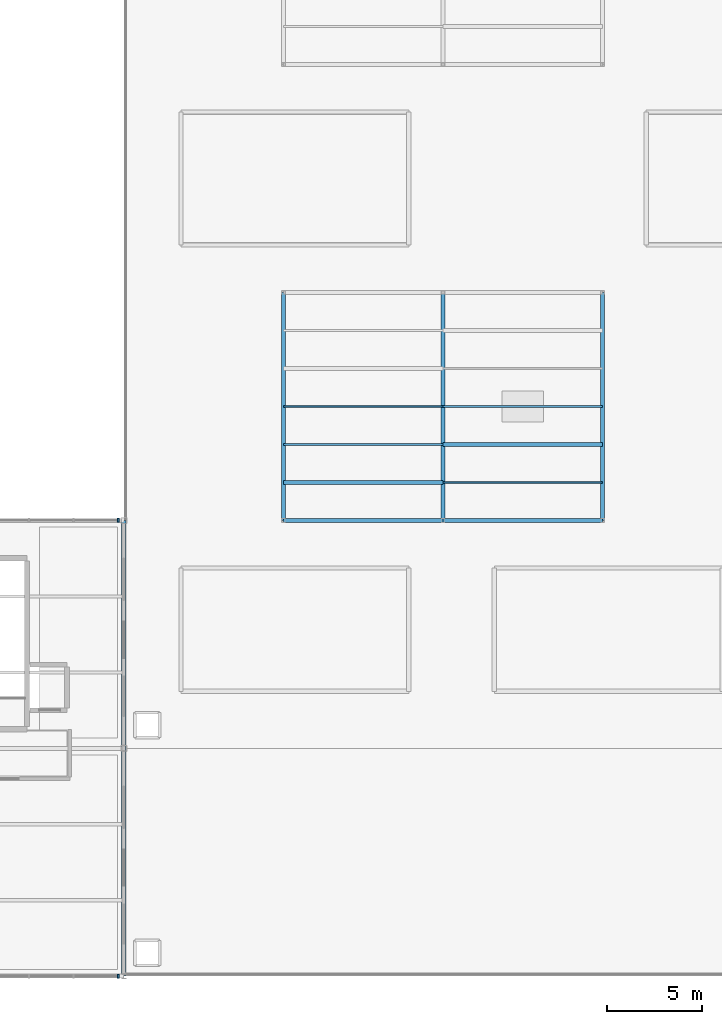
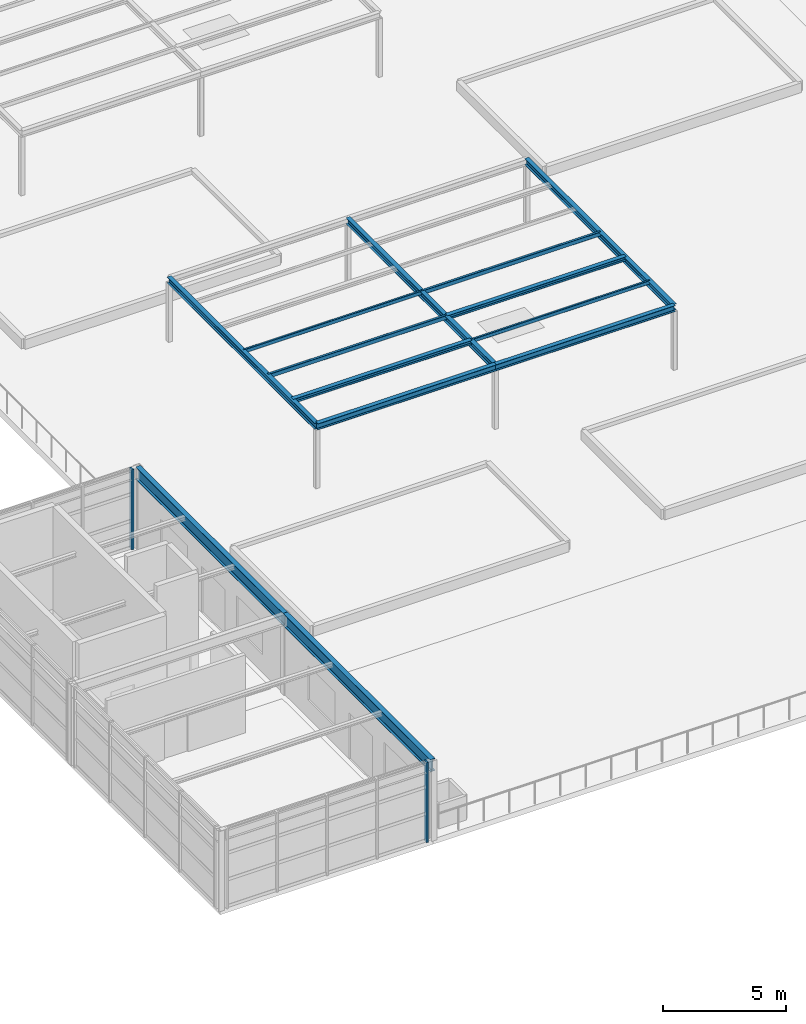
# One storey, part 17 of 49: 8 members, 7 beams, 2 elements without a shape of their own.
"""IFC4 building model written with IfcOpenShell, lengths in metres."""

from ifc_helpers import new_model, si_unit, direction, frame, origin, origin_2d, place, context, subcontext, project, spatial, rectangle, hollow_rectangle, i_section, extrude, material, layer, layer_set, material_profile, profile_set, type_object, element, aggregate, save


model = new_model("IFC4")

# Units and contexts
model_context = context("Model", 3, precision=1e-05, world=origin(), true_north=direction((0.0, 1.0)))
body_context = subcontext(model_context, "Body", "Model", "MODEL_VIEW")
ifc_project = project(units=[si_unit("LENGTHUNIT", "METRE"), si_unit("AREAUNIT", "SQUARE_METRE"), si_unit("VOLUMEUNIT", "CUBIC_METRE"), si_unit("PLANEANGLEUNIT", "RADIAN"), si_unit("MASSUNIT", "GRAM", prefix="KILO")], contexts=[model_context])

# Site, building, storey
site_placement = place(None, origin())
site = spatial("IfcSite", under=ifc_project, at=site_placement, CompositionType="ELEMENT")
building_placement = place(site_placement, origin())
building = spatial("IfcBuilding", under=site, at=building_placement, Name="Sitalva Quay Ferry Terminal", CompositionType="ELEMENT")
storey_placement = place(building_placement, frame((0.0, 0.0, 10.199951171875)))
storey = spatial("IfcBuildingStorey", under=building, at=storey_placement, Name="L03", CompositionType="ELEMENT", Elevation=10.199951171875)

# Beams
ifc_material_1 = material(Name="Structural Steel S355JR", Category="steel")
ifc_material_profile_1 = material_profile(ifc_material_1, i_section(OverallWidth=0.202880859375, OverallDepth=0.302978515625, WebThickness=0.007568359375, FlangeThickness=0.01318359375, FilletRadius=0.011962890625, at=origin_2d()), Name="W310x60")
ifc_profile_set_1 = profile_set([ifc_material_profile_1], Name="Structural Steel S355JR")
beam_type_1 = type_object("IfcBeamType", Name="Beam_W310x60", PredefinedType="BEAM", material=ifc_profile_set_1)
beam_1_placement = place(storey_placement, frame((92.39990234375, 30.0, 3.048583984375), z_axis=(1.0, 0.0, 0.0), x_axis=(0.0, 1.0, 0.0)))
element("IfcBeam", 1, at=beam_1_placement, inside=storey, type_object=beam_type_1, Name="L03 Primary X girder 1297", PredefinedType="BEAM", context=body_context, shape_type="SweptSolid", body=[
    extrude(i_section(OverallWidth=0.202880859375, OverallDepth=0.302978515625, WebThickness=0.007568359375, FlangeThickness=0.01318359375, FilletRadius=0.011962890625, at=origin_2d()), origin(), (0.0, 0.0, 1.0), 8.400146484375),
])
beam_2_placement = place(storey_placement, frame((100.800048828125, 30.0, 3.048583984375), z_axis=(1.0, 0.0, 0.0), x_axis=(0.0, 1.0, 0.0)))
element("IfcBeam", 2, at=beam_2_placement, inside=storey, type_object=beam_type_1, Name="L03 Primary X girder 1298", PredefinedType="BEAM", context=body_context, shape_type="SweptSolid", body=[
    extrude(i_section(OverallWidth=0.202880859375, OverallDepth=0.302978515625, WebThickness=0.007568359375, FlangeThickness=0.01318359375, FilletRadius=0.011962890625, at=origin_2d()), origin(), (0.0, 0.0, 1.0), 8.39990234375),
])
for number, where, z_axis, x_axis, name in (
    (3, (92.39990234375, 30.0, 3.048583984375), (0.0, 1.0, 0.0), (-1.0, 0.0, 0.0), "L03 Primary Y girder 1301"),
    (4, (100.800048828125, 30.0, 3.048583984375), (0.0, 1.0, 0.0), (-1.0, 0.0, 0.0), "L03 Primary Y girder 1302"),
    (5, (109.199951171875, 30.0, 3.048583984375), (0.0, 1.0, 0.0), (-1.0, 0.0, 0.0), "L03 Primary Y girder 1303"),
):
    element("IfcBeam", number, at=place(storey_placement, frame(where, z_axis=z_axis, x_axis=x_axis)), inside=storey, type_object=beam_type_1, Name=name, PredefinedType="BEAM", context=body_context, shape_type="SweptSolid", body=[
        extrude(i_section(OverallWidth=0.202880859375, OverallDepth=0.302978515625, WebThickness=0.007568359375, FlangeThickness=0.01318359375, FilletRadius=0.011962890625, at=origin_2d()), origin(), (0.0, 0.0, 1.0), 12.0),
    ])
ifc_material_2 = material(Name="Structural Steel S355JR", Category="steel")
ifc_material_profile_2 = material_profile(ifc_material_2, i_section(OverallWidth=0.22802734375, OverallDepth=0.60791015625, WebThickness=0.01123046875, FlangeThickness=0.017333984375, FilletRadius=0.01611328125, at=origin_2d()), Name="W610x113")
ifc_profile_set_2 = profile_set([ifc_material_profile_2], Name="Structural Steel S355JR")
beam_type_2 = type_object("IfcBeamType", Name="Girder_W610x113", PredefinedType="USERDEFINED", material=ifc_profile_set_2)
for number, where, z_axis, x_axis, name in (
    (6, (84.0, 6.0, 3.676025390625), (0.0, 1.0, 0.0), (-1.0, 0.0, 0.0), "L03 Primary Y girder 1190"),
    (7, (84.0, 18.0, 3.676025390625), (0.0, 1.0, 0.0), (-1.0, 0.0, 0.0), "L03 Primary Y girder 1191"),
):
    element("IfcBeam", number, at=place(storey_placement, frame(where, z_axis=z_axis, x_axis=x_axis)), inside=storey, type_object=beam_type_2, Name=name, ObjectType="GIRDER", PredefinedType="USERDEFINED", context=body_context, shape_type="SweptSolid", body=[
        extrude(i_section(OverallWidth=0.22802734375, OverallDepth=0.60791015625, WebThickness=0.01123046875, FlangeThickness=0.017333984375, FilletRadius=0.01611328125, at=origin_2d()), origin(), (0.0, 0.0, 1.0), 12.0),
    ])

# Curtain wall, member
ifc_material_3 = material(Name="Anodised Aluminium & Low-E Glazing", Category="aluminium")
ifc_layer = layer(ifc_material_3, 0.159912109375)
ifc_layer_set = layer_set([ifc_layer], Name="Anodised Aluminium & Low-E Glazing")
curtain_wall_type = type_object("IfcCurtainWallType", Name="CW_Concourse_Unitised", PredefinedType="USERDEFINED", material=ifc_layer_set)
curtain_wall_1_placement = place(storey_placement, origin())
curtain_wall_1 = element("IfcCurtainWall", 8, at=curtain_wall_1_placement, inside=storey, type_object=curtain_wall_type, Name="L03 promenade pavilion south glazing (CW-L03-086)", ObjectType="CURTAIN_WALL", PredefinedType="USERDEFINED")
ifc_material_4 = material(Name="Anodised Aluminium 6063-T6", Category="aluminium")
ifc_material_profile_3 = material_profile(ifc_material_4, rectangle(XDim=0.0849609375, YDim=0.2099609375, at=origin_2d()), Name="ALU85x210")
ifc_profile_set_3 = profile_set([ifc_material_profile_3], Name="Anodised Aluminium 6063-T6")
member_type_1 = type_object("IfcMemberType", Name="Mullion_Alu_85x210", PredefinedType="MULLION", material=ifc_profile_set_3)
member_1_placement = place(storey_placement, frame((83.699951171875, 6.0, 0.0), z_axis=(0.0, 0.0, 1.0), x_axis=(1.0, 0.0, 0.0)))
member_1 = element("IfcMember", 9, at=member_1_placement, type_object=member_type_1, Name="CW-L03-086-M4", PredefinedType="MULLION", context=body_context, shape_type="SweptSolid", body=[
    extrude(rectangle(XDim=0.0849609375, YDim=0.2099609375, at=origin_2d()), origin(), (0.0, 0.0, 1.0), 3.97998046875),
])
aggregate(curtain_wall_1, [member_1])

curtain_wall_2_placement = place(storey_placement, origin())
curtain_wall_2 = element("IfcCurtainWall", 10, at=curtain_wall_2_placement, inside=storey, type_object=curtain_wall_type, Name="L03 promenade pavilion north glazing (CW-L03-087)", ObjectType="CURTAIN_WALL", PredefinedType="USERDEFINED")
member_2_placement = place(storey_placement, frame((83.699951171875, 30.0, 0.0), z_axis=(0.0, 0.0, 1.0), x_axis=(1.0, 0.0, 0.0)))
member_2 = element("IfcMember", 11, at=member_2_placement, type_object=member_type_1, Name="CW-L03-087-M4", PredefinedType="MULLION", context=body_context, shape_type="SweptSolid", body=[
    extrude(rectangle(XDim=0.0849609375, YDim=0.2099609375, at=origin_2d()), origin(), (0.0, 0.0, 1.0), 3.97998046875),
])
aggregate(curtain_wall_2, [member_2])

# Members
ifc_material_5 = material(Name="Structural Steel S355JR", Category="steel")
ifc_material_profile_4 = material_profile(ifc_material_5, hollow_rectangle(XDim=0.10009765625, YDim=0.179931640625, WallThickness=0.008056640625, InnerFilletRadius=0.008056640625, OuterFilletRadius=0.01611328125, at=origin_2d()), Name="RHS180x100x8")
ifc_profile_set_4 = profile_set([ifc_material_profile_4], Name="Structural Steel S355JR")
member_type_2 = type_object("IfcMemberType", Name="Purlin_RHS180x100", PredefinedType="PURLIN", material=ifc_profile_set_4)
member_3_placement = place(storey_placement, frame((92.39990234375, 36.0, 3.110107421875), z_axis=(1.0, 0.0, 0.0), x_axis=(0.0, 1.0, 0.0)))
element("IfcMember", 12, at=member_3_placement, inside=storey, type_object=member_type_2, Name="Roof garden shade pergola trellis 003", PredefinedType="PURLIN", context=body_context, shape_type="SweptSolid", body=[
    extrude(hollow_rectangle(XDim=0.10009765625, YDim=0.179931640625, WallThickness=0.008056640625, InnerFilletRadius=0.008056640625, OuterFilletRadius=0.01611328125, at=origin_2d()), origin(), (0.0, 0.0, 1.0), 8.400146484375),
])
member_4_placement = place(storey_placement, frame((100.800048828125, 32.0, 3.110107421875), z_axis=(1.0, 0.0, 0.0), x_axis=(0.0, 1.0, 0.0)))
element("IfcMember", 13, at=member_4_placement, inside=storey, type_object=member_type_2, Name="Roof garden shade pergola trellis 006", PredefinedType="PURLIN", context=body_context, shape_type="SweptSolid", body=[
    extrude(hollow_rectangle(XDim=0.10009765625, YDim=0.179931640625, WallThickness=0.008056640625, InnerFilletRadius=0.008056640625, OuterFilletRadius=0.01611328125, at=origin_2d()), origin(), (0.0, 0.0, 1.0), 8.39990234375),
])
ifc_material_6 = material(Name="Structural Steel S355JR", Category="steel")
ifc_material_profile_5 = material_profile(ifc_material_6, hollow_rectangle(XDim=0.1201171875, YDim=0.199951171875, WallThickness=0.008056640625, InnerFilletRadius=0.008056640625, OuterFilletRadius=0.01611328125, at=origin_2d()), Name="RHS200x120x8")
ifc_profile_set_5 = profile_set([ifc_material_profile_5], Name="Structural Steel S355JR")
member_type_3 = type_object("IfcMemberType", Name="Purlin_RHS200x120", PredefinedType="PURLIN", material=ifc_profile_set_5)
member_5_placement = place(storey_placement, frame((92.39990234375, 34.0, 3.10009765625), z_axis=(1.0, 0.0, 0.0), x_axis=(0.0, 1.0, 0.0)))
element("IfcMember", 14, at=member_5_placement, inside=storey, type_object=member_type_3, Name="Roof garden shade pergola trellis 002", PredefinedType="PURLIN", context=body_context, shape_type="SweptSolid", body=[
    extrude(hollow_rectangle(XDim=0.1201171875, YDim=0.199951171875, WallThickness=0.008056640625, InnerFilletRadius=0.008056640625, OuterFilletRadius=0.01611328125, at=origin_2d()), origin(), (0.0, 0.0, 1.0), 8.400146484375),
])
member_6_placement = place(storey_placement, frame((100.800048828125, 36.0, 3.10009765625), z_axis=(1.0, 0.0, 0.0), x_axis=(0.0, 1.0, 0.0)))
element("IfcMember", 15, at=member_6_placement, inside=storey, type_object=member_type_3, Name="Roof garden shade pergola trellis 008", PredefinedType="PURLIN", context=body_context, shape_type="SweptSolid", body=[
    extrude(hollow_rectangle(XDim=0.1201171875, YDim=0.199951171875, WallThickness=0.008056640625, InnerFilletRadius=0.008056640625, OuterFilletRadius=0.01611328125, at=origin_2d()), origin(), (0.0, 0.0, 1.0), 8.39990234375),
])
ifc_material_7 = material(Name="Structural Steel S355JR", Category="steel")
ifc_material_profile_6 = material_profile(ifc_material_7, i_section(OverallWidth=0.202880859375, OverallDepth=0.202880859375, WebThickness=0.007080078125, FlangeThickness=0.010986328125, FilletRadius=0.010009765625, at=origin_2d()), Name="W200x46")
ifc_profile_set_6 = profile_set([ifc_material_profile_6], Name="Structural Steel S355JR")
member_type_4 = type_object("IfcMemberType", Name="Purlin_W200x46", PredefinedType="PURLIN", material=ifc_profile_set_6)
member_7_placement = place(storey_placement, frame((92.39990234375, 32.0, 3.0986328125), z_axis=(1.0, 0.0, 0.0), x_axis=(0.0, 1.0, 0.0)))
element("IfcMember", 16, at=member_7_placement, inside=storey, type_object=member_type_4, Name="Roof garden shade pergola trellis 001", PredefinedType="PURLIN", context=body_context, shape_type="SweptSolid", body=[
    extrude(i_section(OverallWidth=0.202880859375, OverallDepth=0.202880859375, WebThickness=0.007080078125, FlangeThickness=0.010986328125, FilletRadius=0.010009765625, at=origin_2d()), origin(), (0.0, 0.0, 1.0), 8.400146484375),
])
member_8_placement = place(storey_placement, frame((100.800048828125, 34.0, 3.0986328125), z_axis=(1.0, 0.0, 0.0), x_axis=(0.0, 1.0, 0.0)))
element("IfcMember", 17, at=member_8_placement, inside=storey, type_object=member_type_4, Name="Roof garden shade pergola trellis 007", PredefinedType="PURLIN", context=body_context, shape_type="SweptSolid", body=[
    extrude(i_section(OverallWidth=0.202880859375, OverallDepth=0.202880859375, WebThickness=0.007080078125, FlangeThickness=0.010986328125, FilletRadius=0.010009765625, at=origin_2d()), origin(), (0.0, 0.0, 1.0), 8.39990234375),
])

save(model, "model.ifc")
